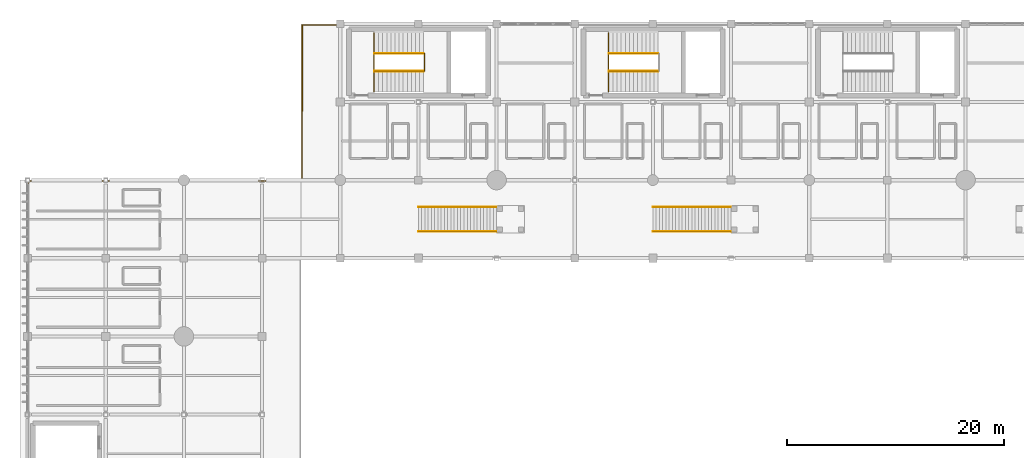
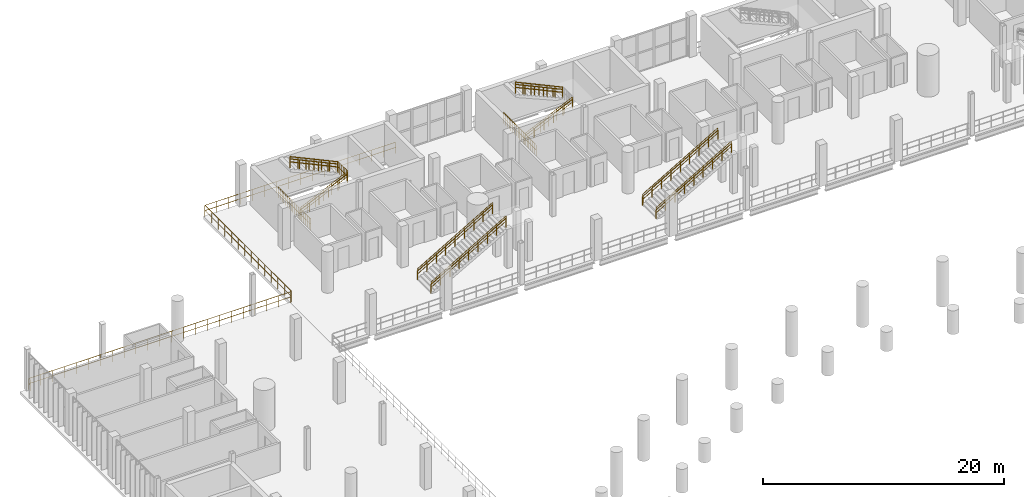
# One storey, part 124 of 130: 20 railings.
"""IFC4 building model written with IfcOpenShell, lengths in metres."""

from ifc_helpers import new_model, si_unit, direction, frame, origin, origin_2d, place, context, subcontext, project, spatial, circle, extrude, material, type_object, element, save


model = new_model("IFC4")

# Units and contexts
model_context = context("Model", 3, precision=1e-05, world=origin(), true_north=direction((0.0, 1.0)))
body_context = subcontext(model_context, "Body", "Model", "MODEL_VIEW")
ifc_project = project(units=[si_unit("LENGTHUNIT", "METRE"), si_unit("AREAUNIT", "SQUARE_METRE"), si_unit("VOLUMEUNIT", "CUBIC_METRE"), si_unit("PLANEANGLEUNIT", "RADIAN"), si_unit("MASSUNIT", "GRAM", prefix="KILO")], contexts=[model_context])

# Site, building, storey
site_placement = place(None, origin())
site = spatial("IfcSite", under=ifc_project, at=site_placement, CompositionType="ELEMENT")
building_placement = place(site_placement, origin())
building = spatial("IfcBuilding", under=site, at=building_placement, Name="Qandorah Velis Arena", CompositionType="ELEMENT")
storey_placement = place(building_placement, frame((0.0, 0.0, 9.60009765625)))
storey = spatial("IfcBuildingStorey", under=building, at=storey_placement, Name="L02", CompositionType="ELEMENT", Elevation=9.60009765625)

# Railings
ifc_material = material(Name="Stainless steel 316", Category="steel")
railing_type_1 = type_object("IfcRailingType", Name="ARC-RL-GRD1150", PredefinedType="GUARDRAIL", material=ifc_material)
railing_1_placement = place(storey_placement, frame((31.909912109375, 123.360107421875, 0.0)))
element("IfcRailing", 1, at=railing_1_placement, inside=storey, type_object=railing_type_1, Name="Stair ST3 landing well-slot guardrail L02", PredefinedType="GUARDRAIL", context=body_context, shape_type="SweptSolid", body=[
    extrude(circle(Radius=0.02392578125, at=origin_2d()), frame((0.0, 0.0, 1.1259765625), z_axis=(0.0, 1.0, 0.0), x_axis=(-1.0, 0.0, 0.0)), (0.0, 0.0, 1.0), 5.3798828125),
    extrude(circle(Radius=0.02392578125, at=origin_2d()), frame((0.0, 0.0, 0.597900390625), z_axis=(0.0, 1.0, 0.0), x_axis=(-1.0, 0.0, 0.0)), (0.0, 0.0, 1.0), 5.3798828125),
    extrude(circle(Radius=0.02099609375, at=origin_2d()), origin(), (0.0, 0.0, 1.0), 1.101806640625),
    extrude(circle(Radius=0.02099609375, at=origin_2d()), frame((0.0, 0.298828125, 0.0)), (0.0, 0.0, 1.0), 1.101806640625),
    extrude(circle(Radius=0.02099609375, at=origin_2d()), frame((0.0, 0.59765625, 0.0)), (0.0, 0.0, 1.0), 1.101806640625),
    extrude(circle(Radius=0.02099609375, at=origin_2d()), frame((0.0, 0.896728515625, 0.0)), (0.0, 0.0, 1.0), 1.101806640625),
    extrude(circle(Radius=0.02099609375, at=origin_2d()), frame((0.0, 1.195556640625, 0.0)), (0.0, 0.0, 1.0), 1.101806640625),
    extrude(circle(Radius=0.02099609375, at=origin_2d()), frame((0.0, 1.494384765625, 0.0)), (0.0, 0.0, 1.0), 1.101806640625),
    extrude(circle(Radius=0.02099609375, at=origin_2d()), frame((0.0, 1.793212890625, 0.0)), (0.0, 0.0, 1.0), 1.101806640625),
    extrude(circle(Radius=0.02099609375, at=origin_2d()), frame((0.0, 2.09228515625, 0.0)), (0.0, 0.0, 1.0), 1.101806640625),
    extrude(circle(Radius=0.02099609375, at=origin_2d()), frame((0.0, 2.39111328125, 0.0)), (0.0, 0.0, 1.0), 1.101806640625),
    extrude(circle(Radius=0.02099609375, at=origin_2d()), frame((0.0, 2.68994140625, 0.0)), (0.0, 0.0, 1.0), 1.101806640625),
    extrude(circle(Radius=0.02099609375, at=origin_2d()), frame((0.0, 2.98876953125, 0.0)), (0.0, 0.0, 1.0), 1.101806640625),
    extrude(circle(Radius=0.02099609375, at=origin_2d()), frame((0.0, 3.28759765625, 0.0)), (0.0, 0.0, 1.0), 1.101806640625),
    extrude(circle(Radius=0.02099609375, at=origin_2d()), frame((0.0, 3.586669921875, 0.0)), (0.0, 0.0, 1.0), 1.101806640625),
    extrude(circle(Radius=0.02099609375, at=origin_2d()), frame((0.0, 3.885498046875, 0.0)), (0.0, 0.0, 1.0), 1.101806640625),
    extrude(circle(Radius=0.02099609375, at=origin_2d()), frame((0.0, 4.184326171875, 0.0)), (0.0, 0.0, 1.0), 1.101806640625),
    extrude(circle(Radius=0.02099609375, at=origin_2d()), frame((0.0, 4.483154296875, 0.0)), (0.0, 0.0, 1.0), 1.101806640625),
    extrude(circle(Radius=0.02099609375, at=origin_2d()), frame((0.0, 4.7822265625, 0.0)), (0.0, 0.0, 1.0), 1.101806640625),
    extrude(circle(Radius=0.02099609375, at=origin_2d()), frame((0.0, 5.0810546875, 0.0)), (0.0, 0.0, 1.0), 1.101806640625),
    extrude(circle(Radius=0.02099609375, at=origin_2d()), frame((0.0, 5.3798828125, 0.0)), (0.0, 0.0, 1.0), 1.101806640625),
])
railing_2_placement = place(storey_placement, frame((36.5458984375, 125.239990234375, 2.099853515625)))
element("IfcRailing", 2, at=railing_2_placement, inside=storey, type_object=railing_type_1, Name="Stair ST3 well guardrail (L02)", PredefinedType="GUARDRAIL", context=body_context, shape_type="SweptSolid", body=[
    extrude(circle(Radius=0.02392578125, at=origin_2d()), frame((0.0, 0.0, 1.1259765625), z_axis=(0.0, 1.0, 0.0), x_axis=(-1.0, 0.0, 0.0)), (0.0, 0.0, 1.0), 1.6201171875),
    extrude(circle(Radius=0.02392578125, at=origin_2d()), frame((0.0, 0.0, 0.597900390625), z_axis=(0.0, 1.0, 0.0), x_axis=(-1.0, 0.0, 0.0)), (0.0, 0.0, 1.0), 1.6201171875),
    extrude(circle(Radius=0.02099609375, at=origin_2d()), origin(), (0.0, 0.0, 1.0), 1.101806640625),
    extrude(circle(Radius=0.02099609375, at=origin_2d()), frame((0.0, 0.27001953125, 0.0)), (0.0, 0.0, 1.0), 1.101806640625),
    extrude(circle(Radius=0.02099609375, at=origin_2d()), frame((0.0, 0.5400390625, 0.0)), (0.0, 0.0, 1.0), 1.101806640625),
    extrude(circle(Radius=0.02099609375, at=origin_2d()), frame((0.0, 0.81005859375, 0.0)), (0.0, 0.0, 1.0), 1.101806640625),
    extrude(circle(Radius=0.02099609375, at=origin_2d()), frame((0.0, 1.080078125, 0.0)), (0.0, 0.0, 1.0), 1.101806640625),
    extrude(circle(Radius=0.02099609375, at=origin_2d()), frame((0.0, 1.35009765625, 0.0)), (0.0, 0.0, 1.0), 1.101806640625),
    extrude(circle(Radius=0.02099609375, at=origin_2d()), frame((0.0, 1.6201171875, 0.0)), (0.0, 0.0, 1.0), 1.101806640625),
])
railing_3_placement = place(storey_placement, frame((31.949951171875, 125.22998046875, 0.0)))
element("IfcRailing", 3, at=railing_3_placement, inside=storey, type_object=railing_type_1, Name="Stair ST3 inner flight 1 guardrail (L02)", PredefinedType="GUARDRAIL", context=body_context, shape_type="SweptSolid", body=[
    extrude(circle(Radius=0.02392578125, at=origin_2d()), frame((0.0, 0.0, 1.1259765625), z_axis=(0.907482768716, 0.0, 0.420089305367), x_axis=(0.0, 1.0, 0.0)), (0.0, 0.0, 1.0), 4.99853515625),
    extrude(circle(Radius=0.02392578125, at=origin_2d()), frame((0.0, 0.0, 0.597900390625), z_axis=(0.907482768716, 0.0, 0.420089305367), x_axis=(0.0, 1.0, 0.0)), (0.0, 0.0, 1.0), 4.99853515625),
    extrude(circle(Radius=0.02099609375, at=origin_2d()), origin(), (0.0, 0.0, 1.0), 1.101806640625),
    extrude(circle(Radius=0.02099609375, at=origin_2d()), frame((0.756103515625, 0.0, 0.35009765625)), (0.0, 0.0, 1.0), 1.101806640625),
    extrude(circle(Radius=0.02099609375, at=origin_2d()), frame((1.511962890625, 0.0, 0.699951171875)), (0.0, 0.0, 1.0), 1.101806640625),
    extrude(circle(Radius=0.02099609375, at=origin_2d()), frame((2.26806640625, 0.0, 1.0498046875)), (0.0, 0.0, 1.0), 1.101806640625),
    extrude(circle(Radius=0.02099609375, at=origin_2d()), frame((3.024169921875, 0.0, 1.39990234375)), (0.0, 0.0, 1.0), 1.101806640625),
    extrude(circle(Radius=0.02099609375, at=origin_2d()), frame((3.780029296875, 0.0, 1.75)), (0.0, 0.0, 1.0), 1.101806640625),
    extrude(circle(Radius=0.02099609375, at=origin_2d()), frame((4.5361328125, 0.0, 2.099853515625)), (0.0, 0.0, 1.0), 1.101806640625),
])
railing_4_placement = place(storey_placement, frame((36.486083984375, 126.8701171875, 2.099853515625)))
element("IfcRailing", 4, at=railing_4_placement, inside=storey, type_object=railing_type_1, Name="Stair ST3 inner flight 2 guardrail (L02)", PredefinedType="GUARDRAIL", context=body_context, shape_type="SweptSolid", body=[
    extrude(circle(Radius=0.02392578125, at=origin_2d()), frame((0.0, 0.0, 1.1259765625), z_axis=(-0.907464148506, 0.0, 0.420129526666), x_axis=(0.0, -1.0, 0.0)), (0.0, 0.0, 1.0), 4.998779296875),
    extrude(circle(Radius=0.02392578125, at=origin_2d()), frame((0.0, 0.0, 0.597900390625), z_axis=(-0.907464148506, 0.0, 0.420129526666), x_axis=(0.0, -1.0, 0.0)), (0.0, 0.0, 1.0), 4.998779296875),
    extrude(circle(Radius=0.02099609375, at=origin_2d()), origin(), (0.0, 0.0, 1.0), 1.101806640625),
    extrude(circle(Radius=0.02099609375, at=origin_2d()), frame((-0.756103515625, 0.0, 0.35009765625)), (0.0, 0.0, 1.0), 1.101806640625),
    extrude(circle(Radius=0.02099609375, at=origin_2d()), frame((-1.511962890625, 0.0, 0.699951171875)), (0.0, 0.0, 1.0), 1.101806640625),
    extrude(circle(Radius=0.02099609375, at=origin_2d()), frame((-2.26806640625, 0.0, 1.050048828125)), (0.0, 0.0, 1.0), 1.101806640625),
    extrude(circle(Radius=0.02099609375, at=origin_2d()), frame((-3.024169921875, 0.0, 1.400146484375)), (0.0, 0.0, 1.0), 1.101806640625),
    extrude(circle(Radius=0.02099609375, at=origin_2d()), frame((-3.780029296875, 0.0, 1.75)), (0.0, 0.0, 1.0), 1.101806640625),
    extrude(circle(Radius=0.02099609375, at=origin_2d()), frame((-4.5361328125, 0.0, 2.10009765625)), (0.0, 0.0, 1.0), 1.101806640625),
])
railing_5_placement = place(storey_placement, frame((53.510009765625, 123.360107421875, 0.0)))
element("IfcRailing", 5, at=railing_5_placement, inside=storey, type_object=railing_type_1, Name="Stair ST10 landing well-slot guardrail L02", PredefinedType="GUARDRAIL", context=body_context, shape_type="SweptSolid", body=[
    extrude(circle(Radius=0.02392578125, at=origin_2d()), frame((0.0, 0.0, 1.1259765625), z_axis=(0.0, 1.0, 0.0), x_axis=(-1.0, 0.0, 0.0)), (0.0, 0.0, 1.0), 5.3798828125),
    extrude(circle(Radius=0.02392578125, at=origin_2d()), frame((0.0, 0.0, 0.597900390625), z_axis=(0.0, 1.0, 0.0), x_axis=(-1.0, 0.0, 0.0)), (0.0, 0.0, 1.0), 5.3798828125),
    extrude(circle(Radius=0.02099609375, at=origin_2d()), origin(), (0.0, 0.0, 1.0), 1.101806640625),
    extrude(circle(Radius=0.02099609375, at=origin_2d()), frame((0.0, 0.298828125, 0.0)), (0.0, 0.0, 1.0), 1.101806640625),
    extrude(circle(Radius=0.02099609375, at=origin_2d()), frame((0.0, 0.59765625, 0.0)), (0.0, 0.0, 1.0), 1.101806640625),
    extrude(circle(Radius=0.02099609375, at=origin_2d()), frame((0.0, 0.896728515625, 0.0)), (0.0, 0.0, 1.0), 1.101806640625),
    extrude(circle(Radius=0.02099609375, at=origin_2d()), frame((0.0, 1.195556640625, 0.0)), (0.0, 0.0, 1.0), 1.101806640625),
    extrude(circle(Radius=0.02099609375, at=origin_2d()), frame((0.0, 1.494384765625, 0.0)), (0.0, 0.0, 1.0), 1.101806640625),
    extrude(circle(Radius=0.02099609375, at=origin_2d()), frame((0.0, 1.793212890625, 0.0)), (0.0, 0.0, 1.0), 1.101806640625),
    extrude(circle(Radius=0.02099609375, at=origin_2d()), frame((0.0, 2.09228515625, 0.0)), (0.0, 0.0, 1.0), 1.101806640625),
    extrude(circle(Radius=0.02099609375, at=origin_2d()), frame((0.0, 2.39111328125, 0.0)), (0.0, 0.0, 1.0), 1.101806640625),
    extrude(circle(Radius=0.02099609375, at=origin_2d()), frame((0.0, 2.68994140625, 0.0)), (0.0, 0.0, 1.0), 1.101806640625),
    extrude(circle(Radius=0.02099609375, at=origin_2d()), frame((0.0, 2.98876953125, 0.0)), (0.0, 0.0, 1.0), 1.101806640625),
    extrude(circle(Radius=0.02099609375, at=origin_2d()), frame((0.0, 3.28759765625, 0.0)), (0.0, 0.0, 1.0), 1.101806640625),
    extrude(circle(Radius=0.02099609375, at=origin_2d()), frame((0.0, 3.586669921875, 0.0)), (0.0, 0.0, 1.0), 1.101806640625),
    extrude(circle(Radius=0.02099609375, at=origin_2d()), frame((0.0, 3.885498046875, 0.0)), (0.0, 0.0, 1.0), 1.101806640625),
    extrude(circle(Radius=0.02099609375, at=origin_2d()), frame((0.0, 4.184326171875, 0.0)), (0.0, 0.0, 1.0), 1.101806640625),
    extrude(circle(Radius=0.02099609375, at=origin_2d()), frame((0.0, 4.483154296875, 0.0)), (0.0, 0.0, 1.0), 1.101806640625),
    extrude(circle(Radius=0.02099609375, at=origin_2d()), frame((0.0, 4.7822265625, 0.0)), (0.0, 0.0, 1.0), 1.101806640625),
    extrude(circle(Radius=0.02099609375, at=origin_2d()), frame((0.0, 5.0810546875, 0.0)), (0.0, 0.0, 1.0), 1.101806640625),
    extrude(circle(Radius=0.02099609375, at=origin_2d()), frame((0.0, 5.3798828125, 0.0)), (0.0, 0.0, 1.0), 1.101806640625),
])
railing_6_placement = place(storey_placement, frame((53.550048828125, 125.22998046875, 0.0)))
element("IfcRailing", 6, at=railing_6_placement, inside=storey, type_object=railing_type_1, Name="Stair ST10 inner flight 1 guardrail (L02)", PredefinedType="GUARDRAIL", context=body_context, shape_type="SweptSolid", body=[
    extrude(circle(Radius=0.02392578125, at=origin_2d()), frame((0.0, 0.0, 1.1259765625), z_axis=(0.907474148765, 0.0, 0.420107925805), x_axis=(0.0, 1.0, 0.0)), (0.0, 0.0, 1.0), 4.998291015625),
    extrude(circle(Radius=0.02392578125, at=origin_2d()), frame((0.0, 0.0, 0.597900390625), z_axis=(0.907474148765, 0.0, 0.420107925805), x_axis=(0.0, 1.0, 0.0)), (0.0, 0.0, 1.0), 4.998291015625),
    extrude(circle(Radius=0.02099609375, at=origin_2d()), origin(), (0.0, 0.0, 1.0), 1.101806640625),
    extrude(circle(Radius=0.02099609375, at=origin_2d()), frame((0.755859375, 0.0, 0.35009765625)), (0.0, 0.0, 1.0), 1.101806640625),
    extrude(circle(Radius=0.02099609375, at=origin_2d()), frame((1.511962890625, 0.0, 0.699951171875)), (0.0, 0.0, 1.0), 1.101806640625),
    extrude(circle(Radius=0.02099609375, at=origin_2d()), frame((2.26806640625, 0.0, 1.0498046875)), (0.0, 0.0, 1.0), 1.101806640625),
    extrude(circle(Radius=0.02099609375, at=origin_2d()), frame((3.02392578125, 0.0, 1.39990234375)), (0.0, 0.0, 1.0), 1.101806640625),
    extrude(circle(Radius=0.02099609375, at=origin_2d()), frame((3.77978515625, 0.0, 1.75)), (0.0, 0.0, 1.0), 1.101806640625),
    extrude(circle(Radius=0.02099609375, at=origin_2d()), frame((4.535888671875, 0.0, 2.099853515625)), (0.0, 0.0, 1.0), 1.101806640625),
])
railing_7_placement = place(storey_placement, frame((58.0859375, 126.8701171875, 2.099853515625)))
element("IfcRailing", 7, at=railing_7_placement, inside=storey, type_object=railing_type_1, Name="Stair ST10 inner flight 2 guardrail (L02)", PredefinedType="GUARDRAIL", context=body_context, shape_type="SweptSolid", body=[
    extrude(circle(Radius=0.02392578125, at=origin_2d()), frame((0.0, 0.0, 1.1259765625), z_axis=(-0.907455527081, 0.0, 0.420148148122), x_axis=(0.0, -1.0, 0.0)), (0.0, 0.0, 1.0), 4.99853515625),
    extrude(circle(Radius=0.02392578125, at=origin_2d()), frame((0.0, 0.0, 0.597900390625), z_axis=(-0.907455527081, 0.0, 0.420148148122), x_axis=(0.0, -1.0, 0.0)), (0.0, 0.0, 1.0), 4.99853515625),
    extrude(circle(Radius=0.02099609375, at=origin_2d()), origin(), (0.0, 0.0, 1.0), 1.101806640625),
    extrude(circle(Radius=0.02099609375, at=origin_2d()), frame((-0.755859375, 0.0, 0.35009765625)), (0.0, 0.0, 1.0), 1.101806640625),
    extrude(circle(Radius=0.02099609375, at=origin_2d()), frame((-1.511962890625, 0.0, 0.699951171875)), (0.0, 0.0, 1.0), 1.101806640625),
    extrude(circle(Radius=0.02099609375, at=origin_2d()), frame((-2.26806640625, 0.0, 1.050048828125)), (0.0, 0.0, 1.0), 1.101806640625),
    extrude(circle(Radius=0.02099609375, at=origin_2d()), frame((-3.02392578125, 0.0, 1.400146484375)), (0.0, 0.0, 1.0), 1.101806640625),
    extrude(circle(Radius=0.02099609375, at=origin_2d()), frame((-3.77978515625, 0.0, 1.75)), (0.0, 0.0, 1.0), 1.101806640625),
    extrude(circle(Radius=0.02099609375, at=origin_2d()), frame((-4.535888671875, 0.0, 2.10009765625)), (0.0, 0.0, 1.0), 1.101806640625),
])
for number, where, name in (
    (8, (36.0, 112.719970703125, 0.0), "Vomitory VS12 left guard (L02)"),
    (9, (36.0, 110.47998046875, 0.0), "Vomitory VS12 right guard (L02)"),
    (10, (57.60009765625, 112.719970703125, 0.0), "Vomitory VS13 left guard (L02)"),
    (11, (57.60009765625, 110.47998046875, 0.0), "Vomitory VS13 right guard (L02)"),
):
    element("IfcRailing", number, at=place(storey_placement, frame(where)), inside=storey, type_object=railing_type_1, Name=name, PredefinedType="GUARDRAIL", context=body_context, shape_type="SweptSolid", body=[
        extrude(circle(Radius=0.02392578125, at=origin_2d()), frame((0.0, 0.0, 1.1259765625), z_axis=(0.863779963214, 0.0, 0.503869204407), x_axis=(0.0, 1.0, 0.0)), (0.0, 0.0, 1.0), 8.33544921875),
        extrude(circle(Radius=0.02392578125, at=origin_2d()), frame((0.0, 0.0, 0.597900390625), z_axis=(0.863779963214, 0.0, 0.503869204407), x_axis=(0.0, 1.0, 0.0)), (0.0, 0.0, 1.0), 8.33544921875),
        extrude(circle(Radius=0.02099609375, at=origin_2d()), origin(), (0.0, 0.0, 1.0), 1.101806640625),
        extrude(circle(Radius=0.02099609375, at=origin_2d()), frame((0.89990234375, 0.0, 0.52490234375)), (0.0, 0.0, 1.0), 1.101806640625),
        extrude(circle(Radius=0.02099609375, at=origin_2d()), frame((1.800048828125, 0.0, 1.050048828125)), (0.0, 0.0, 1.0), 1.101806640625),
        extrude(circle(Radius=0.02099609375, at=origin_2d()), frame((2.699951171875, 0.0, 1.574951171875)), (0.0, 0.0, 1.0), 1.101806640625),
        extrude(circle(Radius=0.02099609375, at=origin_2d()), frame((3.60009765625, 0.0, 2.10009765625)), (0.0, 0.0, 1.0), 1.101806640625),
        extrude(circle(Radius=0.02099609375, at=origin_2d()), frame((4.5, 0.0, 2.625)), (0.0, 0.0, 1.0), 1.101806640625),
        extrude(circle(Radius=0.02099609375, at=origin_2d()), frame((5.39990234375, 0.0, 3.14990234375)), (0.0, 0.0, 1.0), 1.101806640625),
        extrude(circle(Radius=0.02099609375, at=origin_2d()), frame((6.300048828125, 0.0, 3.675048828125)), (0.0, 0.0, 1.0), 1.101806640625),
        extrude(circle(Radius=0.02099609375, at=origin_2d()), frame((7.199951171875, 0.0, 4.199951171875)), (0.0, 0.0, 1.0), 1.101806640625),
    ])
railing_8_placement = place(storey_placement, frame((0.10009765625, 114.89990234375, 0.0)))
element("IfcRailing", 12, at=railing_8_placement, inside=storey, type_object=railing_type_1, Name="Slab edge safety guardrail L02-142", PredefinedType="GUARDRAIL", context=body_context, shape_type="SweptSolid", body=[
    extrude(circle(Radius=0.02392578125, at=origin_2d()), frame((0.0, 0.0, 1.1259765625), z_axis=(0.0, 1.0, 0.0), x_axis=(-1.0, 0.0, 0.0)), (0.0, 0.0, 1.0), 0.2001953125),
    extrude(circle(Radius=0.02392578125, at=origin_2d()), frame((0.0, 0.0, 0.597900390625), z_axis=(0.0, 1.0, 0.0), x_axis=(-1.0, 0.0, 0.0)), (0.0, 0.0, 1.0), 0.2001953125),
    extrude(circle(Radius=0.02392578125, at=origin_2d()), frame((0.0, 0.2001953125, 1.1259765625), z_axis=(1.0, 0.0, 0.0), x_axis=(0.0, 1.0, 0.0)), (0.0, 0.0, 1.0), 25.099853515625),
    extrude(circle(Radius=0.02392578125, at=origin_2d()), frame((0.0, 0.2001953125, 0.597900390625), z_axis=(1.0, 0.0, 0.0), x_axis=(0.0, 1.0, 0.0)), (0.0, 0.0, 1.0), 25.099853515625),
    extrude(circle(Radius=0.02392578125, at=origin_2d()), frame((25.099853515625, 0.2001953125, 1.1259765625), z_axis=(0.773871522392, 0.633342614097, 0.0), x_axis=(-0.633342614097, 0.773871522392, 0.0)), (0.0, 0.0, 1.0), 0.126708984375),
    extrude(circle(Radius=0.02392578125, at=origin_2d()), frame((25.099853515625, 0.2001953125, 0.597900390625), z_axis=(0.773871522392, 0.633342614097, 0.0), x_axis=(-0.633342614097, 0.773871522392, 0.0)), (0.0, 0.0, 1.0), 0.126708984375),
    extrude(circle(Radius=0.02392578125, at=origin_2d()), frame((25.197998046875, 0.280517578125, 1.1259765625), z_axis=(0.000136395409, 0.999999990698, 0.0), x_axis=(-0.999999990698, 0.000136395409, 0.0)), (0.0, 0.0, 1.0), 14.319580078125),
    extrude(circle(Radius=0.02392578125, at=origin_2d()), frame((25.197998046875, 0.280517578125, 0.597900390625), z_axis=(0.000136395409, 0.999999990698, 0.0), x_axis=(-0.999999990698, 0.000136395409, 0.0)), (0.0, 0.0, 1.0), 14.319580078125),
    extrude(circle(Radius=0.02392578125, at=origin_2d()), frame((25.199951171875, 14.60009765625, 1.1259765625), z_axis=(1.0, 0.0, 0.0), x_axis=(0.0, 1.0, 0.0)), (0.0, 0.0, 1.0), 18.27490234375),
    extrude(circle(Radius=0.02392578125, at=origin_2d()), frame((25.199951171875, 14.60009765625, 0.597900390625), z_axis=(1.0, 0.0, 0.0), x_axis=(0.0, 1.0, 0.0)), (0.0, 0.0, 1.0), 18.27490234375),
    extrude(circle(Radius=0.02099609375, at=origin_2d()), origin(), (0.0, 0.0, 1.0), 1.101806640625),
    extrude(circle(Radius=0.02099609375, at=origin_2d()), frame((0.0, 0.2001953125, 0.0)), (0.0, 0.0, 1.0), 1.101806640625),
    extrude(circle(Radius=0.02099609375, at=origin_2d()), frame((1.140869140625, 0.2001953125, 0.0)), (0.0, 0.0, 1.0), 1.101806640625),
    extrude(circle(Radius=0.02099609375, at=origin_2d()), frame((2.28173828125, 0.2001953125, 0.0)), (0.0, 0.0, 1.0), 1.101806640625),
    extrude(circle(Radius=0.02099609375, at=origin_2d()), frame((3.422607421875, 0.2001953125, 0.0)), (0.0, 0.0, 1.0), 1.101806640625),
    extrude(circle(Radius=0.02099609375, at=origin_2d()), frame((4.563720703125, 0.2001953125, 0.0)), (0.0, 0.0, 1.0), 1.101806640625),
    extrude(circle(Radius=0.02099609375, at=origin_2d()), frame((5.70458984375, 0.2001953125, 0.0)), (0.0, 0.0, 1.0), 1.101806640625),
    extrude(circle(Radius=0.02099609375, at=origin_2d()), frame((6.845458984375, 0.2001953125, 0.0)), (0.0, 0.0, 1.0), 1.101806640625),
    extrude(circle(Radius=0.02099609375, at=origin_2d()), frame((7.986328125, 0.2001953125, 0.0)), (0.0, 0.0, 1.0), 1.101806640625),
    extrude(circle(Radius=0.02099609375, at=origin_2d()), frame((9.127197265625, 0.2001953125, 0.0)), (0.0, 0.0, 1.0), 1.101806640625),
    extrude(circle(Radius=0.02099609375, at=origin_2d()), frame((10.26806640625, 0.2001953125, 0.0)), (0.0, 0.0, 1.0), 1.101806640625),
    extrude(circle(Radius=0.02099609375, at=origin_2d()), frame((11.408935546875, 0.2001953125, 0.0)), (0.0, 0.0, 1.0), 1.101806640625),
    extrude(circle(Radius=0.02099609375, at=origin_2d()), frame((12.5498046875, 0.2001953125, 0.0)), (0.0, 0.0, 1.0), 1.101806640625),
    extrude(circle(Radius=0.02099609375, at=origin_2d()), frame((13.69091796875, 0.2001953125, 0.0)), (0.0, 0.0, 1.0), 1.101806640625),
    extrude(circle(Radius=0.02099609375, at=origin_2d()), frame((14.831787109375, 0.2001953125, 0.0)), (0.0, 0.0, 1.0), 1.101806640625),
    extrude(circle(Radius=0.02099609375, at=origin_2d()), frame((15.97265625, 0.2001953125, 0.0)), (0.0, 0.0, 1.0), 1.101806640625),
    extrude(circle(Radius=0.02099609375, at=origin_2d()), frame((17.113525390625, 0.2001953125, 0.0)), (0.0, 0.0, 1.0), 1.101806640625),
    extrude(circle(Radius=0.02099609375, at=origin_2d()), frame((18.25439453125, 0.2001953125, 0.0)), (0.0, 0.0, 1.0), 1.101806640625),
    extrude(circle(Radius=0.02099609375, at=origin_2d()), frame((19.395263671875, 0.2001953125, 0.0)), (0.0, 0.0, 1.0), 1.101806640625),
    extrude(circle(Radius=0.02099609375, at=origin_2d()), frame((20.5361328125, 0.2001953125, 0.0)), (0.0, 0.0, 1.0), 1.101806640625),
    extrude(circle(Radius=0.02099609375, at=origin_2d()), frame((21.67724609375, 0.2001953125, 0.0)), (0.0, 0.0, 1.0), 1.101806640625),
    extrude(circle(Radius=0.02099609375, at=origin_2d()), frame((22.818115234375, 0.2001953125, 0.0)), (0.0, 0.0, 1.0), 1.101806640625),
    extrude(circle(Radius=0.02099609375, at=origin_2d()), frame((23.958984375, 0.2001953125, 0.0)), (0.0, 0.0, 1.0), 1.101806640625),
    extrude(circle(Radius=0.02099609375, at=origin_2d()), frame((25.099853515625, 0.2001953125, 0.0)), (0.0, 0.0, 1.0), 1.101806640625),
    extrude(circle(Radius=0.02099609375, at=origin_2d()), frame((25.197998046875, 0.280517578125, 0.0)), (0.0, 0.0, 1.0), 1.101806640625),
    extrude(circle(Radius=0.02099609375, at=origin_2d()), frame((25.1982421875, 1.382080078125, 0.0)), (0.0, 0.0, 1.0), 1.101806640625),
    extrude(circle(Radius=0.02099609375, at=origin_2d()), frame((25.1982421875, 2.483642578125, 0.0)), (0.0, 0.0, 1.0), 1.101806640625),
    extrude(circle(Radius=0.02099609375, at=origin_2d()), frame((25.198486328125, 3.5849609375, 0.0)), (0.0, 0.0, 1.0), 1.101806640625),
    extrude(circle(Radius=0.02099609375, at=origin_2d()), frame((25.198486328125, 4.6865234375, 0.0)), (0.0, 0.0, 1.0), 1.101806640625),
    extrude(circle(Radius=0.02099609375, at=origin_2d()), frame((25.19873046875, 5.7880859375, 0.0)), (0.0, 0.0, 1.0), 1.101806640625),
    extrude(circle(Radius=0.02099609375, at=origin_2d()), frame((25.198974609375, 6.8896484375, 0.0)), (0.0, 0.0, 1.0), 1.101806640625),
    extrude(circle(Radius=0.02099609375, at=origin_2d()), frame((25.198974609375, 7.990966796875, 0.0)), (0.0, 0.0, 1.0), 1.101806640625),
    extrude(circle(Radius=0.02099609375, at=origin_2d()), frame((25.19921875, 9.092529296875, 0.0)), (0.0, 0.0, 1.0), 1.101806640625),
    extrude(circle(Radius=0.02099609375, at=origin_2d()), frame((25.199462890625, 10.194091796875, 0.0)), (0.0, 0.0, 1.0), 1.101806640625),
    extrude(circle(Radius=0.02099609375, at=origin_2d()), frame((25.199462890625, 11.295654296875, 0.0)), (0.0, 0.0, 1.0), 1.101806640625),
    extrude(circle(Radius=0.02099609375, at=origin_2d()), frame((25.19970703125, 12.39697265625, 0.0)), (0.0, 0.0, 1.0), 1.101806640625),
    extrude(circle(Radius=0.02099609375, at=origin_2d()), frame((25.19970703125, 13.49853515625, 0.0)), (0.0, 0.0, 1.0), 1.101806640625),
    extrude(circle(Radius=0.02099609375, at=origin_2d()), frame((25.199951171875, 14.60009765625, 0.0)), (0.0, 0.0, 1.0), 1.101806640625),
    extrude(circle(Radius=0.02099609375, at=origin_2d()), frame((26.342041015625, 14.60009765625, 0.0)), (0.0, 0.0, 1.0), 1.101806640625),
    extrude(circle(Radius=0.02099609375, at=origin_2d()), frame((27.484375, 14.60009765625, 0.0)), (0.0, 0.0, 1.0), 1.101806640625),
    extrude(circle(Radius=0.02099609375, at=origin_2d()), frame((28.62646484375, 14.60009765625, 0.0)), (0.0, 0.0, 1.0), 1.101806640625),
    extrude(circle(Radius=0.02099609375, at=origin_2d()), frame((29.7685546875, 14.60009765625, 0.0)), (0.0, 0.0, 1.0), 1.101806640625),
    extrude(circle(Radius=0.02099609375, at=origin_2d()), frame((30.910888671875, 14.60009765625, 0.0)), (0.0, 0.0, 1.0), 1.101806640625),
    extrude(circle(Radius=0.02099609375, at=origin_2d()), frame((32.052978515625, 14.60009765625, 0.0)), (0.0, 0.0, 1.0), 1.101806640625),
    extrude(circle(Radius=0.02099609375, at=origin_2d()), frame((33.1953125, 14.60009765625, 0.0)), (0.0, 0.0, 1.0), 1.101806640625),
    extrude(circle(Radius=0.02099609375, at=origin_2d()), frame((34.33740234375, 14.60009765625, 0.0)), (0.0, 0.0, 1.0), 1.101806640625),
    extrude(circle(Radius=0.02099609375, at=origin_2d()), frame((35.4794921875, 14.60009765625, 0.0)), (0.0, 0.0, 1.0), 1.101806640625),
    extrude(circle(Radius=0.02099609375, at=origin_2d()), frame((36.621826171875, 14.60009765625, 0.0)), (0.0, 0.0, 1.0), 1.101806640625),
    extrude(circle(Radius=0.02099609375, at=origin_2d()), frame((37.763916015625, 14.60009765625, 0.0)), (0.0, 0.0, 1.0), 1.101806640625),
    extrude(circle(Radius=0.02099609375, at=origin_2d()), frame((38.90625, 14.60009765625, 0.0)), (0.0, 0.0, 1.0), 1.101806640625),
    extrude(circle(Radius=0.02099609375, at=origin_2d()), frame((40.04833984375, 14.60009765625, 0.0)), (0.0, 0.0, 1.0), 1.101806640625),
    extrude(circle(Radius=0.02099609375, at=origin_2d()), frame((41.1904296875, 14.60009765625, 0.0)), (0.0, 0.0, 1.0), 1.101806640625),
    extrude(circle(Radius=0.02099609375, at=origin_2d()), frame((42.332763671875, 14.60009765625, 0.0)), (0.0, 0.0, 1.0), 1.101806640625),
    extrude(circle(Radius=0.02099609375, at=origin_2d()), frame((43.474853515625, 14.60009765625, 0.0)), (0.0, 0.0, 1.0), 1.101806640625),
])
railing_type_2 = type_object("IfcRailingType", Name="ARC-RL-HND920", PredefinedType="HANDRAIL", material=ifc_material)
railing_9_placement = place(storey_placement, frame((31.949951171875, 125.22998046875, 0.0)))
element("IfcRailing", 13, at=railing_9_placement, inside=storey, type_object=railing_type_2, Name="Stair ST3 inner handrail 1 (L02)", PredefinedType="HANDRAIL", context=body_context, shape_type="SweptSolid", body=[
    extrude(circle(Radius=0.02392578125, at=origin_2d()), frame((0.0, 0.0, 0.89599609375), z_axis=(0.907482768716, 0.0, 0.420089305367), x_axis=(0.0, 1.0, 0.0)), (0.0, 0.0, 1.0), 4.99853515625),
    extrude(circle(Radius=0.02099609375, at=origin_2d()), origin(), (0.0, 0.0, 1.0), 0.871826171875),
    extrude(circle(Radius=0.02099609375, at=origin_2d()), frame((0.9072265625, 0.0, 0.419921875)), (0.0, 0.0, 1.0), 0.871826171875),
    extrude(circle(Radius=0.02099609375, at=origin_2d()), frame((1.814453125, 0.0, 0.83984375)), (0.0, 0.0, 1.0), 0.871826171875),
    extrude(circle(Radius=0.02099609375, at=origin_2d()), frame((2.7216796875, 0.0, 1.260009765625)), (0.0, 0.0, 1.0), 0.871826171875),
    extrude(circle(Radius=0.02099609375, at=origin_2d()), frame((3.62890625, 0.0, 1.679931640625)), (0.0, 0.0, 1.0), 0.871826171875),
    extrude(circle(Radius=0.02099609375, at=origin_2d()), frame((4.5361328125, 0.0, 2.099853515625)), (0.0, 0.0, 1.0), 0.871826171875),
])
railing_10_placement = place(storey_placement, frame((36.486083984375, 126.8701171875, 2.099853515625)))
element("IfcRailing", 14, at=railing_10_placement, inside=storey, type_object=railing_type_2, Name="Stair ST3 inner handrail 2 (L02)", PredefinedType="HANDRAIL", context=body_context, shape_type="SweptSolid", body=[
    extrude(circle(Radius=0.02392578125, at=origin_2d()), frame((0.0, 0.0, 0.89599609375), z_axis=(-0.907464148506, 0.0, 0.420129526666), x_axis=(0.0, -1.0, 0.0)), (0.0, 0.0, 1.0), 4.998779296875),
    extrude(circle(Radius=0.02099609375, at=origin_2d()), origin(), (0.0, 0.0, 1.0), 0.871826171875),
    extrude(circle(Radius=0.02099609375, at=origin_2d()), frame((-0.9072265625, 0.0, 0.419921875)), (0.0, 0.0, 1.0), 0.871826171875),
    extrude(circle(Radius=0.02099609375, at=origin_2d()), frame((-1.814453125, 0.0, 0.840087890625)), (0.0, 0.0, 1.0), 0.871826171875),
    extrude(circle(Radius=0.02099609375, at=origin_2d()), frame((-2.7216796875, 0.0, 1.260009765625)), (0.0, 0.0, 1.0), 0.871826171875),
    extrude(circle(Radius=0.02099609375, at=origin_2d()), frame((-3.62890625, 0.0, 1.68017578125)), (0.0, 0.0, 1.0), 0.871826171875),
    extrude(circle(Radius=0.02099609375, at=origin_2d()), frame((-4.5361328125, 0.0, 2.10009765625)), (0.0, 0.0, 1.0), 0.871826171875),
])
railing_11_placement = place(storey_placement, frame((53.550048828125, 125.22998046875, 0.0)))
element("IfcRailing", 15, at=railing_11_placement, inside=storey, type_object=railing_type_2, Name="Stair ST10 inner handrail 1 (L02)", PredefinedType="HANDRAIL", context=body_context, shape_type="SweptSolid", body=[
    extrude(circle(Radius=0.02392578125, at=origin_2d()), frame((0.0, 0.0, 0.89599609375), z_axis=(0.907474148765, 0.0, 0.420107925805), x_axis=(0.0, 1.0, 0.0)), (0.0, 0.0, 1.0), 4.998291015625),
    extrude(circle(Radius=0.02099609375, at=origin_2d()), origin(), (0.0, 0.0, 1.0), 0.871826171875),
    extrude(circle(Radius=0.02099609375, at=origin_2d()), frame((0.9072265625, 0.0, 0.419921875)), (0.0, 0.0, 1.0), 0.871826171875),
    extrude(circle(Radius=0.02099609375, at=origin_2d()), frame((1.814453125, 0.0, 0.83984375)), (0.0, 0.0, 1.0), 0.871826171875),
    extrude(circle(Radius=0.02099609375, at=origin_2d()), frame((2.721435546875, 0.0, 1.260009765625)), (0.0, 0.0, 1.0), 0.871826171875),
    extrude(circle(Radius=0.02099609375, at=origin_2d()), frame((3.628662109375, 0.0, 1.679931640625)), (0.0, 0.0, 1.0), 0.871826171875),
    extrude(circle(Radius=0.02099609375, at=origin_2d()), frame((4.535888671875, 0.0, 2.099853515625)), (0.0, 0.0, 1.0), 0.871826171875),
])
railing_12_placement = place(storey_placement, frame((58.0859375, 126.8701171875, 2.099853515625)))
element("IfcRailing", 16, at=railing_12_placement, inside=storey, type_object=railing_type_2, Name="Stair ST10 inner handrail 2 (L02)", PredefinedType="HANDRAIL", context=body_context, shape_type="SweptSolid", body=[
    extrude(circle(Radius=0.02392578125, at=origin_2d()), frame((0.0, 0.0, 0.89599609375), z_axis=(-0.907455527081, 0.0, 0.420148148122), x_axis=(0.0, -1.0, 0.0)), (0.0, 0.0, 1.0), 4.99853515625),
    extrude(circle(Radius=0.02099609375, at=origin_2d()), origin(), (0.0, 0.0, 1.0), 0.871826171875),
    extrude(circle(Radius=0.02099609375, at=origin_2d()), frame((-0.9072265625, 0.0, 0.419921875)), (0.0, 0.0, 1.0), 0.871826171875),
    extrude(circle(Radius=0.02099609375, at=origin_2d()), frame((-1.814453125, 0.0, 0.840087890625)), (0.0, 0.0, 1.0), 0.871826171875),
    extrude(circle(Radius=0.02099609375, at=origin_2d()), frame((-2.721435546875, 0.0, 1.260009765625)), (0.0, 0.0, 1.0), 0.871826171875),
    extrude(circle(Radius=0.02099609375, at=origin_2d()), frame((-3.628662109375, 0.0, 1.68017578125)), (0.0, 0.0, 1.0), 0.871826171875),
    extrude(circle(Radius=0.02099609375, at=origin_2d()), frame((-4.535888671875, 0.0, 2.10009765625)), (0.0, 0.0, 1.0), 0.871826171875),
])
for number, where, name in (
    (17, (36.0, 112.719970703125, 0.0), "Vomitory VS12 left handrail"),
    (18, (36.0, 110.47998046875, 0.0), "Vomitory VS12 right handrail"),
    (19, (57.60009765625, 112.719970703125, 0.0), "Vomitory VS13 left handrail"),
    (20, (57.60009765625, 110.47998046875, 0.0), "Vomitory VS13 right handrail"),
):
    element("IfcRailing", number, at=place(storey_placement, frame(where)), inside=storey, type_object=railing_type_2, Name=name, PredefinedType="HANDRAIL", context=body_context, shape_type="SweptSolid", body=[
        extrude(circle(Radius=0.02392578125, at=origin_2d()), frame((0.0, 0.0, 0.89599609375), z_axis=(0.863779963214, 0.0, 0.503869204407), x_axis=(0.0, 1.0, 0.0)), (0.0, 0.0, 1.0), 8.33544921875),
        extrude(circle(Radius=0.02099609375, at=origin_2d()), origin(), (0.0, 0.0, 1.0), 0.871826171875),
        extrude(circle(Radius=0.02099609375, at=origin_2d()), frame((0.89990234375, 0.0, 0.52490234375)), (0.0, 0.0, 1.0), 0.871826171875),
        extrude(circle(Radius=0.02099609375, at=origin_2d()), frame((1.800048828125, 0.0, 1.050048828125)), (0.0, 0.0, 1.0), 0.871826171875),
        extrude(circle(Radius=0.02099609375, at=origin_2d()), frame((2.699951171875, 0.0, 1.574951171875)), (0.0, 0.0, 1.0), 0.871826171875),
        extrude(circle(Radius=0.02099609375, at=origin_2d()), frame((3.60009765625, 0.0, 2.10009765625)), (0.0, 0.0, 1.0), 0.871826171875),
        extrude(circle(Radius=0.02099609375, at=origin_2d()), frame((4.5, 0.0, 2.625)), (0.0, 0.0, 1.0), 0.871826171875),
        extrude(circle(Radius=0.02099609375, at=origin_2d()), frame((5.39990234375, 0.0, 3.14990234375)), (0.0, 0.0, 1.0), 0.871826171875),
        extrude(circle(Radius=0.02099609375, at=origin_2d()), frame((6.300048828125, 0.0, 3.675048828125)), (0.0, 0.0, 1.0), 0.871826171875),
        extrude(circle(Radius=0.02099609375, at=origin_2d()), frame((7.199951171875, 0.0, 4.199951171875)), (0.0, 0.0, 1.0), 0.871826171875),
    ])

save(model, "model.ifc")
